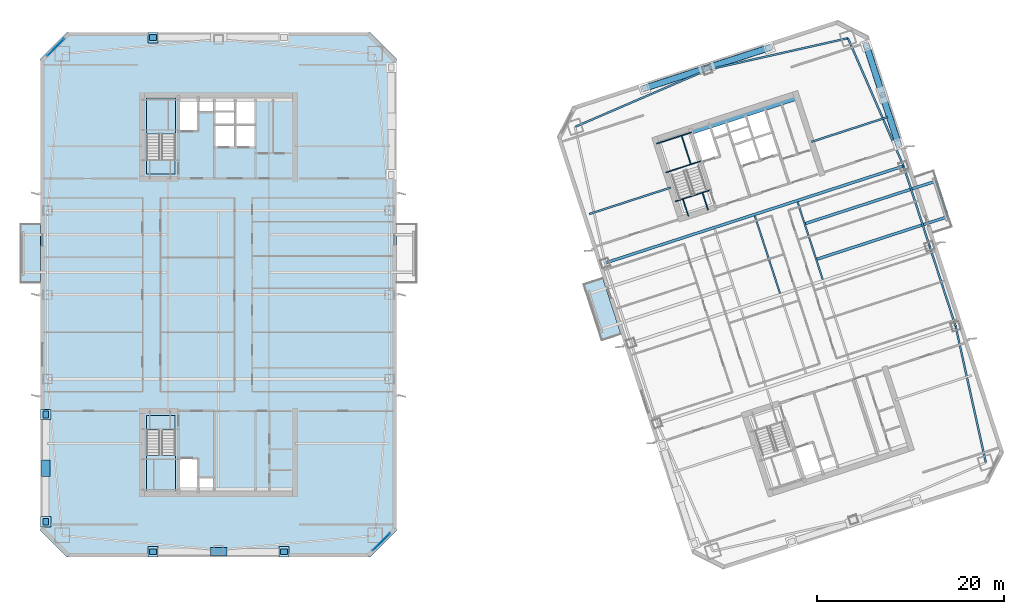
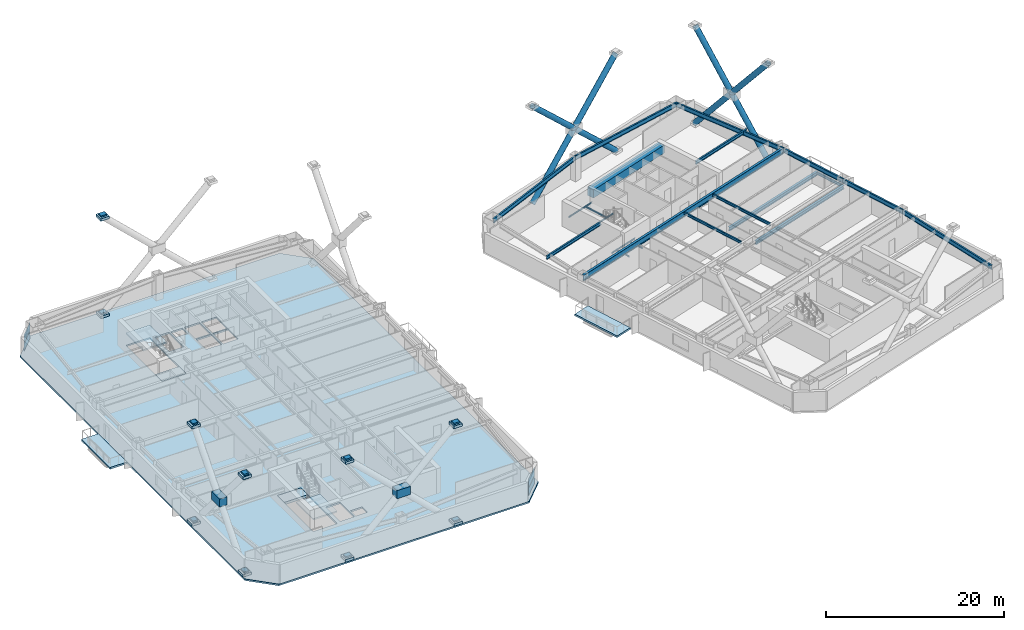
# One storey, part 10 of 24: 26 plates, 21 beams, 8 members, 7 slabs, 4 elements without a shape of their own.
"""IFC4 building model written with IfcOpenShell, lengths in metres."""

from ifc_helpers import new_model, si_unit, direction, frame, origin, origin_2d, place, context, subcontext, project, spatial, polyline, rectangle, hollow_circle, i_section, outline, extrude, material, layer, layer_set, material_profile, profile_set, type_object, element, aggregate, save


model = new_model("IFC4")

# Units and contexts
model_context = context("Model", 3, precision=1e-05, world=origin(), true_north=direction((0.0, 1.0)))
body_context = subcontext(model_context, "Body", "Model", "MODEL_VIEW")
ifc_project = project(units=[si_unit("LENGTHUNIT", "METRE"), si_unit("AREAUNIT", "SQUARE_METRE"), si_unit("VOLUMEUNIT", "CUBIC_METRE"), si_unit("PLANEANGLEUNIT", "RADIAN"), si_unit("MASSUNIT", "GRAM", prefix="KILO")], contexts=[model_context])

# Site, building, storey
site_placement = place(None, origin())
site = spatial("IfcSite", under=ifc_project, at=site_placement, CompositionType="ELEMENT")
building_placement = place(site_placement, origin())
building = spatial("IfcBuilding", under=site, at=building_placement, Name="Qiaolan Cultural Towers", CompositionType="ELEMENT")
storey_placement = place(building_placement, frame((0.0, 0.0, 120.75)))
storey = spatial("IfcBuildingStorey", under=building, at=storey_placement, Name="L31", CompositionType="ELEMENT", Elevation=120.75)

# Beams
ifc_material_1 = material(Name="Steel Q355B", Category="steel")
ifc_material_profile_1 = material_profile(ifc_material_1, i_section(OverallWidth=0.300048828125, OverallDepth=0.488037109375, WebThickness=0.010986328125, FlangeThickness=0.01806640625, at=origin_2d()), Name="HM488x300x11x18")
ifc_profile_set_1 = profile_set([ifc_material_profile_1], Name="Steel Q355B")
beam_type_1 = type_object("IfcBeamType", Name="BM-HM488x300x11x18", PredefinedType="BEAM", material=ifc_profile_set_1)
for number, where, z_axis, x_axis, name in (
    (1, (93.823486328125, 37.765869140625, -0.52392578125), (0.951059244395, 0.30900859802, 0.0), (-0.30900859802, 0.951059244395, 0.0), "L31 T2 Tree Balcony Back-Spanned Bracket Beam"),
    (2, (92.58740234375, 41.570068359375, -0.52392578125), (0.951059244395, 0.30900859802, 0.0), (-0.30900859802, 0.951059244395, 0.0), "L31 T2 Tree Balcony Back-Spanned Bracket Beam"),
):
    element("IfcBeam", number, at=place(storey_placement, frame(where, z_axis=z_axis, x_axis=x_axis)), inside=storey, type_object=beam_type_1, Name=name, PredefinedType="BEAM", context=body_context, shape_type="SweptSolid", body=[
        extrude(i_section(OverallWidth=0.300048828125, OverallDepth=0.488037109375, WebThickness=0.010986328125, FlangeThickness=0.01806640625, at=origin_2d()), origin(), (0.0, 0.0, 1.0), 14.75),
    ])
ifc_material_2 = material(Name="Steel Q355B", Category="steel")
ifc_material_profile_2 = material_profile(ifc_material_2, i_section(OverallWidth=0.300048828125, OverallDepth=0.800048828125, WebThickness=0.013916015625, FlangeThickness=0.02587890625, at=origin_2d()), Name="HN800x300x14x26")
ifc_profile_set_2 = profile_set([ifc_material_profile_2], Name="Steel Q355B")
beam_type_2 = type_object("IfcBeamType", Name="BM-HN800x300x14x26", PredefinedType="BEAM", material=ifc_profile_set_2)
beam_1_placement = place(storey_placement, frame((71.28857421875, 37.383544921875, 2.7900390625), z_axis=(0.951056559899, 0.309016860175, 0.0), x_axis=(-0.309016860175, 0.951056559899, 0.0)))
element("IfcBeam", 3, at=beam_1_placement, inside=storey, type_object=beam_type_2, Name="L31 T2 Primary Transverse Girder V3", PredefinedType="BEAM", context=body_context, shape_type="SweptSolid", body=[
    extrude(i_section(OverallWidth=0.300048828125, OverallDepth=0.800048828125, WebThickness=0.013916015625, FlangeThickness=0.02587890625, at=origin_2d()), origin(), (0.0, 0.0, 1.0), 33.5),
])
ifc_material_3 = material(Name="Steel Q355B", Category="steel")
ifc_material_profile_3 = material_profile(ifc_material_3, i_section(OverallWidth=0.175048828125, OverallDepth=0.35009765625, WebThickness=0.007080078125, FlangeThickness=0.010986328125, at=origin_2d()), Name="HN350x175x7x11")
ifc_profile_set_3 = profile_set([ifc_material_profile_3], Name="Steel Q355B")
beam_type_3 = type_object("IfcBeamType", Name="BM-JST-HN350x175x7x11", PredefinedType="JOIST", material=ifc_profile_set_3)
beam_2_placement = place(storey_placement, frame((107.8515625, 42.32373046875, -0.52392578125), z_axis=(-0.309022586479, 0.951054699292, 0.0), x_axis=(-0.951054699292, -0.309022586479, 0.0)))
element("IfcBeam", 4, at=beam_2_placement, inside=storey, type_object=beam_type_3, Name="L31 T2 Tree Balcony Outer Edge Beam", PredefinedType="JOIST", context=body_context, shape_type="SweptSolid", body=[
    extrude(i_section(OverallWidth=0.175048828125, OverallDepth=0.35009765625, WebThickness=0.007080078125, FlangeThickness=0.010986328125, at=origin_2d()), origin(), (0.0, 0.0, 1.0), 4.0),
])
for number, where, z_axis, x_axis, name in (
    (5, (89.95361328125, 34.142578125, 3.014892578125), (-0.309020714809, 0.951055307445, 0.0), (-0.951055307445, -0.309020714809, 0.0), "L31 T2 Secondary Floor Joist U2-3"),
    (6, (94.518798828125, 35.6259765625, 3.014892578125), (-0.309020714809, 0.951055307445, 0.0), (-0.951055307445, -0.309020714809, 0.0), "L31 T2 Secondary Floor Joist U3-3"),
):
    element("IfcBeam", number, at=place(storey_placement, frame(where, z_axis=z_axis, x_axis=x_axis)), inside=storey, type_object=beam_type_3, Name=name, PredefinedType="JOIST", context=body_context, shape_type="SweptSolid", body=[
        extrude(i_section(OverallWidth=0.175048828125, OverallDepth=0.35009765625, WebThickness=0.007080078125, FlangeThickness=0.010986328125, at=origin_2d()), origin(), (0.0, 0.0, 1.0), 8.699951171875),
    ])
ifc_material_4 = material(Name="Steel Q355B", Category="steel")
ifc_material_profile_4 = material_profile(ifc_material_4, i_section(OverallWidth=0.199951171875, OverallDepth=0.449951171875, WebThickness=0.009033203125, FlangeThickness=0.013916015625, at=origin_2d()), Name="HN450x200x9x14")
ifc_profile_set_4 = profile_set([ifc_material_profile_4], Name="Steel Q355B")
beam_type_4 = type_object("IfcBeamType", Name="BM-LNT-HN450x200x9x14", PredefinedType="LINTEL", material=ifc_profile_set_4)
beam_3_placement = place(storey_placement, frame((78.291259765625, 45.44189453125, 2.965087890625), z_axis=(-0.951052106475, -0.309030566076, 0.0), x_axis=(0.309030566076, -0.951052106475, 0.0)))
element("IfcBeam", 7, at=beam_3_placement, inside=storey, type_object=beam_type_4, Name="L31 T2 Core Flank Tie Lintel WN", PredefinedType="LINTEL", context=body_context, shape_type="SweptSolid", body=[
    extrude(i_section(OverallWidth=0.199951171875, OverallDepth=0.449951171875, WebThickness=0.009033203125, FlangeThickness=0.013916015625, at=origin_2d()), origin(), (0.0, 0.0, 1.0), 9.14990234375),
])
beam_4_placement = place(storey_placement, frame((93.31787109375, 50.32421875, 2.965087890625), z_axis=(0.951057358187, 0.309014403287, 0.0), x_axis=(-0.309014403287, 0.951057358187, 0.0)))
element("IfcBeam", 8, at=beam_4_placement, inside=storey, type_object=beam_type_4, Name="L31 T2 Core Flank Tie Lintel EN", PredefinedType="LINTEL", context=body_context, shape_type="SweptSolid", body=[
    extrude(i_section(OverallWidth=0.199951171875, OverallDepth=0.449951171875, WebThickness=0.009033203125, FlangeThickness=0.013916015625, at=origin_2d()), origin(), (0.0, 0.0, 1.0), 8.550048828125),
])
ifc_material_5 = material(Name="Concrete C50", Category="concrete")
ifc_material_profile_5 = material_profile(ifc_material_5, rectangle(XDim=0.89990234375, YDim=1.10009765625, at=origin_2d()), Name="RC900x1100")
ifc_profile_set_5 = profile_set([ifc_material_profile_5], Name="Concrete C50")
beam_type_5 = type_object("IfcBeamType", Name="BM-RC900x1100", PredefinedType="BEAM", material=ifc_profile_set_5)
beam_5_placement = place(storey_placement, frame((80.427978515625, 51.551025390625, 2.639892578125), z_axis=(0.951056266386, 0.309017763514, 0.0), x_axis=(-0.309017763514, 0.951056266386, 0.0)))
element("IfcBeam", 9, at=beam_5_placement, inside=storey, type_object=beam_type_5, Name="L31 T2 Core Header Girder N", PredefinedType="BEAM", context=body_context, shape_type="SweptSolid", body=[
    extrude(rectangle(XDim=0.89990234375, YDim=1.10009765625, at=origin_2d()), origin(), (0.0, 0.0, 1.0), 11.880126953125),
])
ifc_material_6 = material(Name="Steel Q355B", Category="steel")
ifc_material_profile_6 = material_profile(ifc_material_6, i_section(OverallWidth=0.199951171875, OverallDepth=0.60009765625, WebThickness=0.010986328125, FlangeThickness=0.01708984375, at=origin_2d()), Name="HN600x200x11x17")
ifc_profile_set_6 = profile_set([ifc_material_profile_6], Name="Steel Q355B")
beam_type_6 = type_object("IfcBeamType", Name="BM-SPD-HN600x200x11x17", PredefinedType="SPANDREL", material=ifc_profile_set_6)
beam_6_placement = place(storey_placement, frame((111.930908203125, 16.080078125, 2.889892578125), z_axis=(-0.216237644833, 0.976340760676, 0.0), x_axis=(-0.976340760676, -0.216237644833, 0.0)))
element("IfcBeam", 10, at=beam_6_placement, inside=storey, type_object=beam_type_6, Name="L31 T2 Perimeter Spandrel Beam 3", PredefinedType="SPANDREL", context=body_context, shape_type="SweptSolid", body=[
    extrude(i_section(OverallWidth=0.199951171875, OverallDepth=0.60009765625, WebThickness=0.010986328125, FlangeThickness=0.01708984375, at=origin_2d()), origin(), (0.0, 0.0, 1.0), 14.888671875),
])
for number, where, z_axis, x_axis, name in (
    (11, (108.71142578125, 30.616455078125, 2.889892578125), (-0.309024734286, 0.951054001411, 0.0), (-0.951054001411, -0.309024734286, 0.0), "L31 T2 Perimeter Spandrel Beam 4"),
    (12, (105.93017578125, 39.176025390625, 2.889892578125), (-0.309024734286, 0.951054001411, 0.0), (-0.951054001411, -0.309024734286, 0.0), "L31 T2 Perimeter Spandrel Beam 5"),
):
    element("IfcBeam", number, at=place(storey_placement, frame(where, z_axis=z_axis, x_axis=x_axis)), inside=storey, type_object=beam_type_6, Name=name, PredefinedType="SPANDREL", context=body_context, shape_type="SweptSolid", body=[
        extrude(i_section(OverallWidth=0.199951171875, OverallDepth=0.60009765625, WebThickness=0.010986328125, FlangeThickness=0.01708984375, at=origin_2d()), origin(), (0.0, 0.0, 1.0), 9.0),
    ])
beam_7_placement = place(storey_placement, frame((103.14892578125, 47.735595703125, 2.889892578125), z_axis=(-0.398920370799, 0.916985571185, 0.0), x_axis=(-0.916985571185, -0.398920370799, 0.0)))
element("IfcBeam", 13, at=beam_7_placement, inside=storey, type_object=beam_type_6, Name="L31 T2 Perimeter Spandrel Beam 6", PredefinedType="SPANDREL", context=body_context, shape_type="SweptSolid", body=[
    extrude(i_section(OverallWidth=0.199951171875, OverallDepth=0.60009765625, WebThickness=0.010986328125, FlangeThickness=0.01708984375, at=origin_2d()), origin(), (0.0, 0.0, 1.0), 14.888916015625),
])
beam_8_placement = place(storey_placement, frame((97.20947265625, 61.388427734375, 2.889892578125), z_axis=(-0.975658154374, -0.219296980836, 0.0), x_axis=(0.219296980836, -0.975658154374, 0.0)))
element("IfcBeam", 14, at=beam_8_placement, inside=storey, type_object=beam_type_6, Name="L31 T2 Perimeter Spandrel Beam 7", PredefinedType="SPANDREL", context=body_context, shape_type="SweptSolid", body=[
    extrude(i_section(OverallWidth=0.199951171875, OverallDepth=0.60009765625, WebThickness=0.010986328125, FlangeThickness=0.01708984375, at=origin_2d()), origin(), (0.0, 0.0, 1.0), 15.38671875),
])
beam_9_placement = place(storey_placement, frame((82.197265625, 58.01416015625, 2.889892578125), z_axis=(-0.918217549337, -0.396076422032, 0.0), x_axis=(0.396076422032, -0.918217549337, 0.0)))
element("IfcBeam", 15, at=beam_9_placement, inside=storey, type_object=beam_type_6, Name="L31 T2 Perimeter Spandrel Beam 8", PredefinedType="SPANDREL", context=body_context, shape_type="SweptSolid", body=[
    extrude(i_section(OverallWidth=0.199951171875, OverallDepth=0.60009765625, WebThickness=0.010986328125, FlangeThickness=0.01708984375, at=origin_2d()), origin(), (0.0, 0.0, 1.0), 15.386474609375),
])
ifc_material_7 = material(Name="Steel Q355B", Category="steel")
ifc_material_profile_7 = material_profile(ifc_material_7, i_section(OverallWidth=0.10009765625, OverallDepth=0.199951171875, WebThickness=0.005615234375, FlangeThickness=0.008056640625, at=origin_2d()), Name="HN200x100x5.5x8")
ifc_profile_set_7 = profile_set([ifc_material_profile_7], Name="Steel Q355B")
beam_type_7 = type_object("IfcBeamType", Name="BM-STTRIM-200", PredefinedType="BEAM", material=ifc_profile_set_7)
beam_10_placement = place(storey_placement, frame((78.773193359375, 43.958251953125, -0.4599609375), z_axis=(0.951072048947, 0.3089691857, 0.0), x_axis=(-0.3089691857, 0.951072048947, 0.0)))
element("IfcBeam", 16, at=beam_10_placement, inside=storey, type_object=beam_type_7, Name="L31 ST-E2 Floor Landing Header Beam", PredefinedType="BEAM", context=body_context, shape_type="SweptSolid", body=[
    extrude(i_section(OverallWidth=0.10009765625, OverallDepth=0.199951171875, WebThickness=0.005615234375, FlangeThickness=0.008056640625, at=origin_2d()), origin(), (0.0, 0.0, 1.0), 3.920166015625),
])
for number, where, z_axis, x_axis, name in (
    (17, (80.18115234375, 42.375732421875, -0.4599609375), (-0.308969394428, 0.951071981138, 0.0), (-0.951071981138, -0.308969394428, 0.0), "L31 ST-E2 Floor Landing Stringer 1"),
    (18, (82.2734375, 43.0556640625, -0.4599609375), (-0.308969394428, 0.951071981138, 0.0), (-0.951071981138, -0.308969394428, 0.0), "L31 ST-E2 Floor Landing Stringer 2"),
):
    element("IfcBeam", number, at=place(storey_placement, frame(where, z_axis=z_axis, x_axis=x_axis)), inside=storey, type_object=beam_type_7, Name=name, PredefinedType="BEAM", context=body_context, shape_type="SweptSolid", body=[
        extrude(i_section(OverallWidth=0.10009765625, OverallDepth=0.199951171875, WebThickness=0.005615234375, FlangeThickness=0.008056640625, at=origin_2d()), origin(), (0.0, 0.0, 1.0), 1.93994140625),
    ])
for number, where, z_axis, x_axis, name in (
    (19, (77.769287109375, 47.0478515625, 1.425048828125), (0.951053746643, 0.309025518358, 0.0), (-0.309025518358, 0.951053746643, 0.0), "L31 ST-E2 Stair Landing Support Beam 1-1"),
    (20, (76.770751953125, 50.12109375, 1.425048828125), (0.951072048947, 0.3089691857, 0.0), (-0.3089691857, 0.951072048947, 0.0), "L31 ST-E2 Stair Landing Support Beam 1-2"),
):
    element("IfcBeam", number, at=place(storey_placement, frame(where, z_axis=z_axis, x_axis=x_axis)), inside=storey, type_object=beam_type_7, Name=name, PredefinedType="BEAM", context=body_context, shape_type="SweptSolid", body=[
        extrude(i_section(OverallWidth=0.10009765625, OverallDepth=0.199951171875, WebThickness=0.005615234375, FlangeThickness=0.008056640625, at=origin_2d()), origin(), (0.0, 0.0, 1.0), 3.920166015625),
    ])
beam_11_placement = place(storey_placement, frame((80.44189453125, 47.916259765625, 1.425048828125), z_axis=(-0.309033108495, 0.951051280349, 0.0), x_axis=(-0.951051280349, -0.309033108495, 0.0)))
element("IfcBeam", 21, at=beam_11_placement, inside=storey, type_object=beam_type_7, Name="L31 ST-E2 Stair Landing Trimmer 1", PredefinedType="BEAM", context=body_context, shape_type="SweptSolid", body=[
    extrude(i_section(OverallWidth=0.10009765625, OverallDepth=0.199951171875, WebThickness=0.005615234375, FlangeThickness=0.008056640625, at=origin_2d()), origin(), (0.0, 0.0, 1.0), 3.231201171875),
])

# Members
ifc_material_8 = material(Name="Steel Q355B", Category="steel")
ifc_material_profile_8 = material_profile(ifc_material_8, hollow_circle(Radius=0.35009765625, WallThickness=0.034912109375, at=origin_2d()), Name="CHS700x35")
ifc_profile_set_8 = profile_set([ifc_material_profile_8], Name="Steel Q355B")
member_type = type_object("IfcMemberType", Name="MBR-BRC-CHS700x35", PredefinedType="BRACE", material=ifc_profile_set_8)
for number, where, z_axis, x_axis, name in (
    (22, (102.59765625, 50.079833984375, 0.14990234375), (-0.197031114792, 0.606420804185, 0.770345732808), (-0.951059719012, -0.309007137251, 0.0), "T2 EAST Perimeter Frame Diagonal E-Z2-M4-D1A"),
    (23, (100.890380859375, 55.33447265625, 6.824951171875), (-0.197058196236, 0.60641743746, 0.770341456005), (-0.951046732174, -0.309047105182, 0.0), "T2 EAST Perimeter Frame Diagonal E-Z2-M4-D1B"),
    (24, (99.182861328125, 60.589111328125, 0.14990234375), (0.197058196236, -0.60641743746, 0.770341456005), (0.951046732174, 0.309047105182, 0.0), "T2 EAST Perimeter Frame Diagonal E-Z2-M4-D2A"),
    (25, (100.890380859375, 55.33447265625, 6.824951171875), (0.197031114792, -0.606420804185, 0.770345732808), (0.951059719012, 0.309007137251, 0.0), "T2 EAST Perimeter Frame Diagonal E-Z2-M4-D2B"),
):
    element("IfcMember", number, at=place(storey_placement, frame(where, z_axis=z_axis, x_axis=x_axis)), inside=storey, type_object=member_type, Name=name, PredefinedType="BRACE", context=body_context, shape_type="SweptSolid", body=[
        extrude(hollow_circle(Radius=0.35009765625, WallThickness=0.034912109375, at=origin_2d()), origin(), (0.0, 0.0, 1.0), 8.6650390625),
    ])
for number, where, z_axis, x_axis, name in (
    (26, (75.47802734375, 56.041259765625, 0.14990234375), (0.688288969768, 0.223632706448, 0.690106301016), (-0.309009574742, 0.951058927048, 0.0), "T2 NORTH Perimeter Frame Diagonal E-Z2-M4-D1A"),
    (27, (82.135498046875, 58.204345703125, 6.824951171875), (0.688288969768, 0.223632706448, 0.690106301016), (-0.309009574742, 0.951058927048, 0.0), "T2 NORTH Perimeter Frame Diagonal E-Z2-M4-D1B"),
    (28, (88.79296875, 60.367431640625, 0.14990234375), (-0.688288969768, -0.223632706448, 0.690106301016), (0.309009574742, -0.951058927048, 0.0), "T2 NORTH Perimeter Frame Diagonal E-Z2-M4-D2A"),
    (29, (82.135498046875, 58.204345703125, 6.824951171875), (-0.688288969768, -0.223632706448, 0.690106301016), (0.309009574742, -0.951058927048, 0.0), "T2 NORTH Perimeter Frame Diagonal E-Z2-M4-D2B"),
):
    element("IfcMember", number, at=place(storey_placement, frame(where, z_axis=z_axis, x_axis=x_axis)), inside=storey, type_object=member_type, Name=name, PredefinedType="BRACE", context=body_context, shape_type="SweptSolid", body=[
        extrude(hollow_circle(Radius=0.35009765625, WallThickness=0.034912109375, at=origin_2d()), origin(), (0.0, 0.0, 1.0), 9.672607421875),
    ])

# Curtain wall, plates
ifc_material_9 = material(Name="Unitized Anodized Aluminium Curtain Wall System", Category="aluminium")
ifc_layer_1 = layer(ifc_material_9, 0.199951171875)
ifc_layer_set_1 = layer_set([ifc_layer_1], Name="Unitized Anodized Aluminium Curtain Wall System")
curtain_wall_type = type_object("IfcCurtainWallType", Name="CWS-03", PredefinedType="NOTDEFINED", material=ifc_layer_set_1)
curtain_wall_1_placement = place(storey_placement, origin())
curtain_wall_1 = element("IfcCurtainWall", 30, at=curtain_wall_1_placement, inside=storey, type_object=curtain_wall_type, Name="L31 T1 Chamfer Wind-Corner Feature Curtain Wall 1", PredefinedType="NOTDEFINED")
ifc_material_10 = material(Name="Laminated Low-E Insulating Glass Unit", Category="glass")
ifc_layer_2 = layer(ifc_material_10, 0.035888671875)
ifc_layer_set_2 = layer_set([ifc_layer_2], Name="Laminated Low-E Insulating Glass Unit")
plate_type_1 = type_object("IfcPlateType", Name="CWS-03-PNL", PredefinedType="CURTAIN_PANEL", material=ifc_layer_set_2)
plate_1_placement = place(storey_placement, frame((12.60009765625, 60.39990234375, 0.215087890625), z_axis=(0.0, 0.0, 1.0), x_axis=(0.707106781187, 0.707106781187, 0.0)))
plate_1 = element("IfcPlate", 31, at=plate_1_placement, type_object=plate_type_1, Name="CW-3 panel 1.1", PredefinedType="CURTAIN_PANEL", context=body_context, shape_type="SweptSolid", body=[
    extrude(rectangle(XDim=2.542724609375, YDim=0.035888671875, at=origin_2d()), origin(), (0.0, 0.0, 1.0), 1.00244140625),
])
plate_2_placement = place(storey_placement, frame((12.60009765625, 60.39990234375, 1.282470703125), z_axis=(0.0, 0.0, 1.0), x_axis=(0.707106781187, 0.707106781187, 0.0)))
plate_2 = element("IfcPlate", 32, at=plate_2_placement, type_object=plate_type_1, Name="CW-3 panel 1.2", PredefinedType="CURTAIN_PANEL", context=body_context, shape_type="SweptSolid", body=[
    extrude(rectangle(XDim=2.542724609375, YDim=0.035888671875, at=origin_2d()), origin(), (0.0, 0.0, 1.0), 1.16259765625),
])
aggregate(curtain_wall_1, [plate_1, plate_2])

curtain_wall_2_placement = place(storey_placement, origin())
curtain_wall_2 = element("IfcCurtainWall", 33, at=curtain_wall_2_placement, inside=storey, type_object=curtain_wall_type, Name="L31 T1 Chamfer Wind-Corner Feature Curtain Wall 2", PredefinedType="NOTDEFINED")
plate_3_placement = place(storey_placement, frame((47.39990234375, 7.60009765625, 0.215087890625), z_axis=(0.0, 0.0, 1.0), x_axis=(-0.707106781187, -0.707106781187, 0.0)))
plate_3 = element("IfcPlate", 34, at=plate_3_placement, type_object=plate_type_1, Name="CW-3 panel 1.1", PredefinedType="CURTAIN_PANEL", context=body_context, shape_type="SweptSolid", body=[
    extrude(rectangle(XDim=2.542724609375, YDim=0.035888671875, at=origin_2d()), origin(), (0.0, 0.0, 1.0), 1.00244140625),
])
plate_4_placement = place(storey_placement, frame((47.39990234375, 7.60009765625, 1.282470703125), z_axis=(0.0, 0.0, 1.0), x_axis=(-0.707106781187, -0.707106781187, 0.0)))
plate_4 = element("IfcPlate", 35, at=plate_4_placement, type_object=plate_type_1, Name="CW-3 panel 1.2", PredefinedType="CURTAIN_PANEL", context=body_context, shape_type="SweptSolid", body=[
    extrude(rectangle(XDim=2.542724609375, YDim=0.035888671875, at=origin_2d()), origin(), (0.0, 0.0, 1.0), 1.16259765625),
])
aggregate(curtain_wall_2, [plate_3, plate_4])

# Plates
ifc_material_11 = material(Name="Steel Q355B", Category="steel")
ifc_layer_3 = layer(ifc_material_11, 0.035888671875)
ifc_layer_set_3 = layer_set([ifc_layer_3], Name="Steel Q355B")
plate_type_2 = type_object("IfcPlateType", Name="PL-CONN-36", PredefinedType="USERDEFINED", material=ifc_layer_set_3)
for number, where, z_axis, x_axis, name in (
    (36, (11.550048828125, 9.75, -0.22021484375), (0.0, 0.0, 1.0), (0.0, 1.0, 0.0), "L31 Brace End Connection Gusset Plate GP-02-0268"),
    (37, (11.550048828125, 21.199951171875, 13.1298828125), (0.0, 0.0, 1.0), (0.0, 1.0, 0.0), "L31 Brace End Connection Gusset Plate GP-02-0269"),
    (38, (11.550048828125, 21.199951171875, -0.22021484375), (0.0, 0.0, 1.0), (0.0, 1.0, 0.0), "L31 Brace End Connection Gusset Plate GP-02-0270"),
    (39, (11.550048828125, 9.75, 13.1298828125), (0.0, 0.0, 1.0), (0.0, 1.0, 0.0), "L31 Brace End Connection Gusset Plate GP-02-0271"),
    (40, (23.0, 6.550048828125, -0.22021484375), (0.0, 0.0, 1.0), (1.0, 0.0, 0.0), "L31 Brace End Connection Gusset Plate GP-02-0276"),
    (41, (37.0, 6.550048828125, 13.1298828125), (0.0, 0.0, 1.0), (1.0, 0.0, 0.0), "L31 Brace End Connection Gusset Plate GP-02-0277"),
    (42, (37.0, 6.550048828125, -0.22021484375), (0.0, 0.0, 1.0), (1.0, 0.0, 0.0), "L31 Brace End Connection Gusset Plate GP-02-0278"),
    (43, (23.0, 6.550048828125, 13.1298828125), (0.0, 0.0, 1.0), (1.0, 0.0, 0.0), "L31 Brace End Connection Gusset Plate GP-02-0279"),
    (44, (23.0, 61.449951171875, -0.22021484375), (0.0, 0.0, 1.0), (1.0, 0.0, 0.0), "L31 Brace End Connection Gusset Plate GP-02-0280"),
    (45, (23.0, 61.449951171875, 13.1298828125), (0.0, 0.0, 1.0), (1.0, 0.0, 0.0), "L31 Brace End Connection Gusset Plate GP-02-0283"),
):
    element("IfcPlate", number, at=place(storey_placement, frame(where, z_axis=z_axis, x_axis=x_axis)), inside=storey, type_object=plate_type_2, Name=name, ObjectType="GUSSET_PLATE", PredefinedType="USERDEFINED", context=body_context, shape_type="SweptSolid", body=[
        extrude(rectangle(XDim=0.739990234375, YDim=0.6201171875, at=origin_2d()), origin(), (0.0, 0.0, 1.0), 0.739990234375),
    ])
ifc_material_12 = material(Name="Steel Q355B", Category="steel")
ifc_layer_4 = layer(ifc_material_12, 0.030029296875)
ifc_layer_set_4 = layer_set([ifc_layer_4], Name="Steel Q355B")
plate_type_3 = type_object("IfcPlateType", Name="PL-ENDCAP-30", PredefinedType="USERDEFINED", material=ifc_layer_set_4)
for number, where, z_axis, x_axis, name in (
    (46, (11.550048828125, 9.75, -0.025146484375), (0.0, 0.0, 1.0), (0.0, 1.0, 0.0), "Hollow Brace End Seal Cap Plate CP-01"),
    (47, (11.550048828125, 21.199951171875, -0.025146484375), (0.0, 0.0, 1.0), (0.0, 1.0, 0.0), "Hollow Brace End Seal Cap Plate CP-01"),
    (48, (11.550048828125, 9.75, 13.324951171875), (0.0, 0.0, 1.0), (0.0, 1.0, 0.0), "Hollow Brace End Seal Cap Plate CP-01"),
    (49, (11.550048828125, 21.199951171875, 13.324951171875), (0.0, 0.0, 1.0), (0.0, 1.0, 0.0), "Hollow Brace End Seal Cap Plate CP-01"),
    (50, (23.0, 6.550048828125, -0.025146484375), (0.0, 0.0, 1.0), (1.0, 0.0, 0.0), "Hollow Brace End Seal Cap Plate CP-01"),
    (51, (37.0, 6.550048828125, -0.025146484375), (0.0, 0.0, 1.0), (1.0, 0.0, 0.0), "Hollow Brace End Seal Cap Plate CP-01"),
    (52, (23.0, 6.550048828125, 13.324951171875), (0.0, 0.0, 1.0), (1.0, 0.0, 0.0), "Hollow Brace End Seal Cap Plate CP-01"),
    (53, (37.0, 6.550048828125, 13.324951171875), (0.0, 0.0, 1.0), (1.0, 0.0, 0.0), "Hollow Brace End Seal Cap Plate CP-01"),
    (54, (23.0, 61.449951171875, -0.025146484375), (0.0, 0.0, 1.0), (1.0, 0.0, 0.0), "Hollow Brace End Seal Cap Plate CP-01"),
    (55, (23.0, 61.449951171875, 13.324951171875), (0.0, 0.0, 1.0), (1.0, 0.0, 0.0), "Hollow Brace End Seal Cap Plate CP-01"),
):
    element("IfcPlate", number, at=place(storey_placement, frame(where, z_axis=z_axis, x_axis=x_axis)), inside=storey, type_object=plate_type_3, Name=name, ObjectType="BASE_PLATE", PredefinedType="USERDEFINED", context=body_context, shape_type="SweptSolid", body=[
        extrude(rectangle(XDim=1.10009765625, YDim=1.10009765625, at=origin_2d()), origin(), (0.0, 0.0, 1.0), 0.35009765625),
    ])
ifc_material_13 = material(Name="Steel Q390GJB", Category="steel")
ifc_layer_5 = layer(ifc_material_13, 0.0439453125)
ifc_layer_set_5 = layer_set([ifc_layer_5], Name="Steel Q390GJB")
plate_type_4 = type_object("IfcPlateType", Name="PL-NODE-ND02", PredefinedType="USERDEFINED", material=ifc_layer_set_5)
plate_5_placement = place(storey_placement, frame((11.550048828125, 15.47509765625, 6.27490234375), z_axis=(0.0, 0.0, 1.0), x_axis=(0.0, 1.0, 0.0)))
element("IfcPlate", 56, at=plate_5_placement, inside=storey, type_object=plate_type_4, Name="Perimeter Frame Gusset Node Assembly ND-02", ObjectType="GUSSET_PLATE", PredefinedType="USERDEFINED", context=body_context, shape_type="SweptSolid", body=[
    extrude(rectangle(XDim=1.760009765625, YDim=0.9599609375, at=origin_2d()), origin(), (0.0, 0.0, 1.0), 1.10009765625),
])
ifc_material_14 = material(Name="Steel Q390GJB", Category="steel")
ifc_layer_6 = layer(ifc_material_14, 0.0400390625)
ifc_layer_set_6 = layer_set([ifc_layer_6], Name="Steel Q390GJB")
plate_type_5 = type_object("IfcPlateType", Name="PL-NODE-ND04", PredefinedType="USERDEFINED", material=ifc_layer_set_6)
plate_6_placement = place(storey_placement, frame((30.0, 6.550048828125, 6.27490234375), z_axis=(0.0, 0.0, 1.0), x_axis=(1.0, 0.0, 0.0)))
element("IfcPlate", 57, at=plate_6_placement, inside=storey, type_object=plate_type_5, Name="Perimeter Frame Gusset Node Assembly ND-04", ObjectType="GUSSET_PLATE", PredefinedType="USERDEFINED", context=body_context, shape_type="SweptSolid", body=[
    extrude(rectangle(XDim=1.760009765625, YDim=0.9599609375, at=origin_2d()), origin(), (0.0, 0.0, 1.0), 1.10009765625),
])

# Slabs
ifc_material_15 = material(Name="Concrete C45", Category="concrete")
ifc_layer_7 = layer(ifc_material_15, 0.239990234375)
ifc_layer_set_7 = layer_set([ifc_layer_7], Name="Concrete C45")
slab_type_1 = type_object("IfcSlabType", Name="SL-BAL-240", PredefinedType="FLOOR", material=ifc_layer_set_7)
slab_1_placement = place(storey_placement, frame((0.0, 0.0, -0.239990234375)))
element("IfcSlab", 58, at=slab_1_placement, inside=storey, type_object=slab_type_1, Name="L31 T1 Planted Tree Balcony W", PredefinedType="FLOOR", context=body_context, shape_type="SweptSolid", body=[
    extrude(outline(polyline([(8.800048828125, 35.199951171875), (11.0, 35.199951171875), (11.0, 41.60009765625), (8.800048828125, 41.60009765625), (8.800048828125, 35.199951171875)])), origin(), (0.0, 0.0, 1.0), 0.239990234375),
])
slab_2_placement = place(storey_placement, frame((0.0, 0.0, -0.239990234375)))
element("IfcSlab", 59, at=slab_2_placement, inside=storey, type_object=slab_type_1, Name="L31 T2 Planted Tree Balcony W", PredefinedType="FLOOR", context=body_context, shape_type="SweptSolid", body=[
    extrude(outline(polyline([(70.893310546875, 29.0537109375), (72.985595703125, 29.7333984375), (71.008056640625, 35.8203125), (68.915771484375, 35.140380859375), (70.893310546875, 29.0537109375)])), origin(), (0.0, 0.0, 1.0), 0.239990234375),
])

# Stair, slab
ifc_material_16 = material(Name="Concrete C45", Category="concrete")
stair_type = type_object("IfcStairType", Name="STR-CORE-1500", PredefinedType="HALF_TURN_STAIR", material=ifc_material_16)
stair_1_placement = place(storey_placement, origin())
stair_1 = element("IfcStair", 60, at=stair_1_placement, inside=storey, type_object=stair_type, Name="L31 Smokeproof Exit Stair ST-W1", PredefinedType="HALF_TURN_STAIR")
ifc_material_17 = material(Name="Concrete C45", Category="concrete")
ifc_layer_8 = layer(ifc_material_17, 0.199951171875)
ifc_layer_set_8 = layer_set([ifc_layer_8], Name="Concrete C45")
slab_type_2 = type_object("IfcSlabType", Name="SL-STAIR-LAND", PredefinedType="LANDING", material=ifc_layer_set_8)
slab_3_placement = place(storey_placement, frame((0.0, 0.0, 1.52490234375)))
slab_3 = element("IfcSlab", 61, at=slab_3_placement, type_object=slab_type_2, Name="ST-W1 landing 1", PredefinedType="LANDING", context=body_context, shape_type="SweptSolid", body=[
    extrude(outline(polyline([(22.300048828125, 16.851318359375), (22.300048828125, 13.0), (25.3798828125, 13.0), (25.3798828125, 16.851318359375), (22.300048828125, 16.851318359375)])), origin(), (0.0, 0.0, 1.0), 0.2001953125),
])
aggregate(stair_1, [slab_3])

stair_2_placement = place(storey_placement, origin())
stair_2 = element("IfcStair", 62, at=stair_2_placement, inside=storey, type_object=stair_type, Name="L31 Smokeproof Exit Stair ST-W2", PredefinedType="HALF_TURN_STAIR")
slab_4_placement = place(storey_placement, frame((0.0, 0.0, 1.52490234375)))
slab_4 = element("IfcSlab", 63, at=slab_4_placement, type_object=slab_type_2, Name="ST-W2 landing 1", PredefinedType="LANDING", context=body_context, shape_type="SweptSolid", body=[
    extrude(outline(polyline([(25.3798828125, 51.148681640625), (25.3798828125, 55.0), (22.300048828125, 55.0), (22.300048828125, 51.148681640625), (25.3798828125, 51.148681640625)])), origin(), (0.0, 0.0, 1.0), 0.2001953125),
])
aggregate(stair_2, [slab_4])

# Slabs
ifc_material_18 = material(Name="Concrete C40", Category="concrete")
ifc_layer_9 = layer(ifc_material_18, 0.360107421875)
ifc_layer_set_9 = layer_set([ifc_layer_9], Name="Concrete C40")
slab_type_3 = type_object("IfcSlabType", Name="SL-STFLR-360", PredefinedType="LANDING", material=ifc_layer_set_9)
slab_5_placement = place(storey_placement, frame((0.0, 0.0, -0.360107421875)))
element("IfcSlab", 64, at=slab_5_placement, inside=storey, type_object=slab_type_3, Name="L31 ST-W1 Stair Floor Landing Slab", PredefinedType="LANDING", context=body_context, shape_type="SweptSolid", body=[
    extrude(outline(polyline([(22.302001953125, 21.097900390625), (22.302001953125, 19.548583984375), (25.3779296875, 19.548583984375), (25.3779296875, 21.097900390625), (22.302001953125, 21.097900390625)])), origin(), (0.0, 0.0, 1.0), 0.360107421875),
])
slab_6_placement = place(storey_placement, frame((0.0, 0.0, -0.360107421875)))
element("IfcSlab", 65, at=slab_6_placement, inside=storey, type_object=slab_type_3, Name="L31 ST-W2 Stair Floor Landing Slab", PredefinedType="LANDING", context=body_context, shape_type="SweptSolid", body=[
    extrude(outline(polyline([(25.3779296875, 46.902099609375), (25.3779296875, 48.451416015625), (22.302001953125, 48.451416015625), (22.302001953125, 46.902099609375), (25.3779296875, 46.902099609375)])), origin(), (0.0, 0.0, 1.0), 0.360107421875),
])
ifc_material_19 = material(Name="Concrete C45", Category="concrete")
ifc_layer_10 = layer(ifc_material_19, 0.219970703125)
ifc_layer_set_10 = layer_set([ifc_layer_10], Name="Concrete C45")
slab_type_4 = type_object("IfcSlabType", Name="SL-TYP-220", PredefinedType="FLOOR", material=ifc_layer_set_10)
slab_7_placement = place(storey_placement, frame((0.0, 0.0, -0.219970703125)))
element("IfcSlab", 66, at=slab_7_placement, inside=storey, type_object=slab_type_4, Name="L31 West Tower Floor Slab", PredefinedType="FLOOR", context=body_context, shape_type="SweptSolid", body=[
    extrude(outline(polyline([(13.800048828125, 6.0), (46.199951171875, 6.0), (49.0, 8.800048828125), (49.0, 59.199951171875), (46.199951171875, 62.0), (13.800048828125, 62.0), (11.0, 59.199951171875), (11.0, 8.800048828125), (13.800048828125, 6.0)]), holes=[polyline([(22.300048828125, 21.10009765625), (22.300048828125, 13.0), (25.3798828125, 13.0), (25.3798828125, 21.10009765625), (22.300048828125, 21.10009765625)]), polyline([(25.3798828125, 46.89990234375), (25.3798828125, 55.0), (22.300048828125, 55.0), (22.300048828125, 46.89990234375), (25.3798828125, 46.89990234375)]), polyline([(25.89990234375, 13.199951171875), (27.75, 13.199951171875), (27.75, 16.449951171875), (25.89990234375, 16.449951171875), (25.89990234375, 13.199951171875)]), polyline([(27.93994140625, 13.25), (29.449951171875, 13.25), (29.449951171875, 14.419921875), (27.93994140625, 14.419921875), (27.93994140625, 13.25)]), polyline([(25.89990234375, 51.550048828125), (27.75, 51.550048828125), (27.75, 54.800048828125), (25.89990234375, 54.800048828125), (25.89990234375, 51.550048828125)]), polyline([(27.93994140625, 53.580078125), (29.449951171875, 53.580078125), (29.449951171875, 54.75), (27.93994140625, 54.75), (27.93994140625, 53.580078125)]), polyline([(29.679931640625, 49.820068359375), (31.679931640625, 49.820068359375), (31.679931640625, 52.080078125), (29.679931640625, 52.080078125), (29.679931640625, 49.820068359375)]), polyline([(31.8798828125, 49.820068359375), (33.820068359375, 49.820068359375), (33.820068359375, 52.080078125), (31.8798828125, 52.080078125), (31.8798828125, 49.820068359375)]), polyline([(29.679931640625, 52.27001953125), (31.659912109375, 52.27001953125), (31.659912109375, 54.75), (29.679931640625, 54.75), (29.679931640625, 52.27001953125)]), polyline([(31.8798828125, 52.27001953125), (33.820068359375, 52.27001953125), (33.820068359375, 54.75), (31.8798828125, 54.75), (31.8798828125, 52.27001953125)])]), origin(), (0.0, 0.0, 1.0), 0.219970703125),
])

save(model, "model.ifc")
